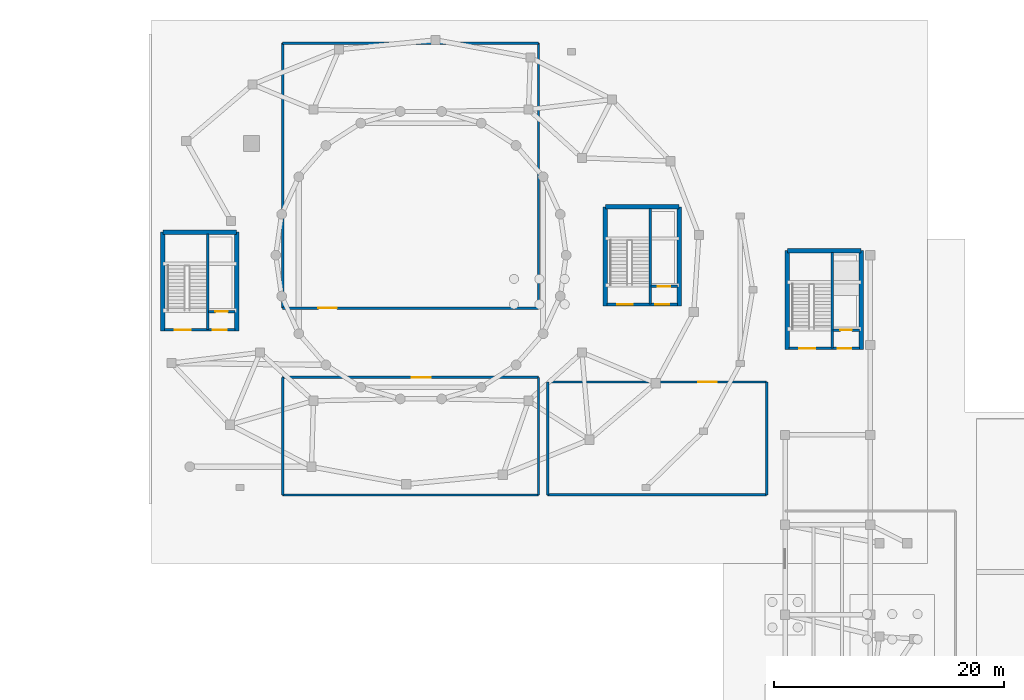
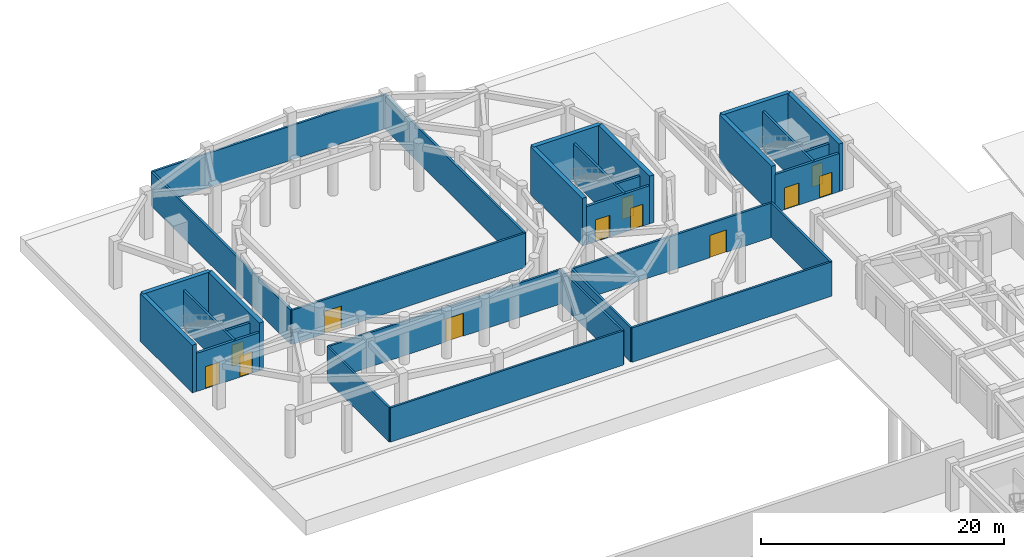
# One storey, part 8 of 11: 30 walls, 12 doors, 12 openings.
"""IFC4 building model written with IfcOpenShell, lengths in metres."""

from ifc_helpers import new_model, si_unit, direction, frame, frame_2d, origin, place, context, subcontext, project, spatial, rectangle, extrude, material, layer, layer_set, type_object, element, fill, save


model = new_model("IFC4")

# Units and contexts
model_context = context("Model", 3, precision=1e-05, world=origin(), true_north=direction((0.0, 1.0)))
body_context = subcontext(model_context, "Body", "Model", "MODEL_VIEW")
ifc_project = project(units=[si_unit("LENGTHUNIT", "METRE"), si_unit("AREAUNIT", "SQUARE_METRE"), si_unit("VOLUMEUNIT", "CUBIC_METRE"), si_unit("PLANEANGLEUNIT", "RADIAN"), si_unit("MASSUNIT", "GRAM", prefix="KILO")], contexts=[model_context])

# Site, building, storey
site_placement = place(None, origin())
site = spatial("IfcSite", under=ifc_project, at=site_placement, CompositionType="ELEMENT")
building_placement = place(site_placement, origin())
building = spatial("IfcBuilding", under=site, at=building_placement, Name="Pelvatis Terrace Science Centre", CompositionType="ELEMENT")
storey_placement = place(building_placement, frame((0.0, 0.0, -4.800048828125)))
storey = spatial("IfcBuildingStorey", under=building, at=storey_placement, Name="B01", CompositionType="ELEMENT", Elevation=-4.800048828125)

# Walls
ifc_material_1 = material(Name="Masonry laboratory fire wall", Category="masonry")
ifc_layer_1 = layer(ifc_material_1, 0.18994140625)
ifc_layer_set_1 = layer_set([ifc_layer_1], Name="Masonry laboratory fire wall")
wall_type_1 = type_object("IfcWallType", Name="WL-INT-COMP-190", PredefinedType="PARTITIONING", material=ifc_layer_set_1)
wall_1_placement = place(storey_placement, frame((97.199951171875, 65.0, 0.0), z_axis=(0.0, 0.0, 1.0), x_axis=(1.0, 0.0, 0.0)))
element("IfcWall", 1, at=wall_1_placement, inside=storey, type_object=wall_type_1, Name="Osteology and Paleontology Cold Conservation Store partition wall S", PredefinedType="PARTITIONING", context=body_context, shape_type="SweptSolid", body=[
    extrude(rectangle(XDim=22.199951171875, YDim=0.18994140625, at=frame_2d((11.10009765625, 0.0))), origin(), (0.0, 0.0, 1.0), 3.449951171875),
])
wall_2_placement = place(storey_placement, frame((119.39990234375, 65.0, 0.0), z_axis=(0.0, 0.0, 1.0), x_axis=(0.0, 1.0, 0.0)))
element("IfcWall", 2, at=wall_2_placement, inside=storey, type_object=wall_type_1, Name="Osteology and Paleontology Cold Conservation Store partition wall E", PredefinedType="PARTITIONING", context=body_context, shape_type="SweptSolid", body=[
    extrude(rectangle(XDim=10.199951171875, YDim=0.18994140625, at=frame_2d((5.10009765625, 0.0))), origin(), (0.0, 0.0, 1.0), 3.449951171875),
])

# Wall, opening, door
wall_3_placement = place(storey_placement, frame((119.39990234375, 75.199951171875, 0.0), z_axis=(0.0, 0.0, 1.0), x_axis=(-1.0, 0.0, 0.0)))
wall_3 = element("IfcWall", 3, at=wall_3_placement, inside=storey, type_object=wall_type_1, Name="Osteology and Paleontology Cold Conservation Store partition wall N", PredefinedType="PARTITIONING", context=body_context, shape_type="SweptSolid", body=[
    extrude(rectangle(XDim=22.199951171875, YDim=0.18994140625, at=frame_2d((11.10009765625, 0.0))), origin(), (0.0, 0.0, 1.0), 3.449951171875),
])
opening_1_placement = place(wall_3_placement, frame((9.367919921875, 0.0, 0.0)))
opening_1 = element("IfcOpeningElement", 4, at=opening_1_placement, cuts=wall_3, Name="Opening D-168", PredefinedType="OPENING", context=body_context, shape_type="SweptSolid", body=[
    extrude(rectangle(XDim=1.64990234375, YDim=2.300048828125, at=frame_2d((0.824951171875, 1.14990234375))), frame((0.0, 0.10498046875, 0.0), z_axis=(0.0, -1.0, 0.0), x_axis=(1.0, 0.0, 0.0)), (0.0, 0.0, 1.0), 0.2099609375),
])
ifc_material_2 = material(Name="Insulated steel specimen archive fire door", Category="steel")
door_type_1 = type_object("IfcDoorType", Name="DR-ARCH-1650x2300", OperationType="NOTDEFINED", PredefinedType="DOOR", material=ifc_material_2)
door_1_placement = place(opening_1_placement, origin())
door_1 = element("IfcDoor", 5, at=door_1_placement, inside=storey, type_object=door_type_1, Name="Osteology and Paleontology Cold Conservation Store entrance door", OperationType="DOUBLE_DOOR_SINGLE_SWING", OverallHeight=2.300048828125, OverallWidth=1.64990234375, PredefinedType="DOOR", context=body_context, shape_type="SweptSolid", body=[
    extrude(rectangle(XDim=1.64990234375, YDim=2.300048828125, at=frame_2d((0.824951171875, 1.14990234375))), frame((0.0, 0.02490234375, 0.0), z_axis=(0.0, -1.0, 0.0), x_axis=(1.0, 0.0, 0.0)), (0.0, 0.0, 1.0), 0.050048828125),
])
fill(opening_1, door_1)

# Wall
wall_4_placement = place(storey_placement, frame((97.199951171875, 75.199951171875, 0.0), z_axis=(0.0, 0.0, 1.0), x_axis=(0.0, -1.0, 0.0)))
element("IfcWall", 6, at=wall_4_placement, inside=storey, type_object=wall_type_1, Name="Osteology and Paleontology Cold Conservation Store partition wall W", PredefinedType="PARTITIONING", context=body_context, shape_type="SweptSolid", body=[
    extrude(rectangle(XDim=10.199951171875, YDim=0.18994140625, at=frame_2d((5.10009765625, 0.0))), origin(), (0.0, 0.0, 1.0), 3.449951171875),
])

# Wall, opening, door
ifc_material_3 = material(Name="Masonry fire-compartment wall", Category="masonry")
ifc_layer_2 = layer(ifc_material_3, 0.199951171875)
ifc_layer_set_2 = layer_set([ifc_layer_2], Name="Masonry fire-compartment wall")
wall_type_2 = type_object("IfcWallType", Name="WL-INT-COMP-200", PredefinedType="PARTITIONING", material=ifc_layer_set_2)
wall_5_placement = place(storey_placement, frame((97.199951171875, 81.199951171875, 0.0), z_axis=(0.0, 0.0, 1.0), x_axis=(1.0, 0.0, 0.0)))
wall_5 = element("IfcWall", 7, at=wall_5_placement, inside=storey, type_object=wall_type_2, Name="Central Chiller, Heat-Pump and Cistern Mechanical Plant partition wall S", PredefinedType="PARTITIONING", context=body_context, shape_type="SweptSolid", body=[
    extrude(rectangle(XDim=22.199951171875, YDim=0.199951171875, at=frame_2d((11.10009765625, 0.0))), origin(), (0.0, 0.0, 1.0), 3.449951171875),
])
opening_2_placement = place(wall_5_placement, frame((3.10009765625, 0.0, 0.0)))
opening_2 = element("IfcOpeningElement", 8, at=opening_2_placement, cuts=wall_5, Name="Opening D-169", PredefinedType="OPENING", context=body_context, shape_type="SweptSolid", body=[
    extrude(rectangle(XDim=1.60009765625, YDim=2.25, at=frame_2d((0.800048828125, 1.125))), frame((0.0, 0.10986328125, 0.0), z_axis=(0.0, -1.0, 0.0), x_axis=(1.0, 0.0, 0.0)), (0.0, 0.0, 1.0), 0.219970703125),
])
ifc_material_4 = material(Name="Louvred steel plant room fire door", Category="steel")
door_type_2 = type_object("IfcDoorType", Name="DR-PLNT-1600x2250", OperationType="NOTDEFINED", PredefinedType="DOOR", material=ifc_material_4)
door_2_placement = place(opening_2_placement, origin())
door_2 = element("IfcDoor", 9, at=door_2_placement, inside=storey, type_object=door_type_2, Name="Central Chiller, Heat-Pump and Cistern Mechanical Plant entrance door", OperationType="DOUBLE_DOOR_SINGLE_SWING", OverallHeight=2.25, OverallWidth=1.60009765625, PredefinedType="DOOR", context=body_context, shape_type="SweptSolid", body=[
    extrude(rectangle(XDim=1.60009765625, YDim=2.25, at=frame_2d((0.800048828125, 1.125))), frame((0.0, 0.02490234375, 0.0), z_axis=(0.0, -1.0, 0.0), x_axis=(1.0, 0.0, 0.0)), (0.0, 0.0, 1.0), 0.050048828125),
])
fill(opening_2, door_2)

# Walls
wall_6_placement = place(storey_placement, frame((119.39990234375, 81.199951171875, 0.0), z_axis=(0.0, 0.0, 1.0), x_axis=(0.0, 1.0, 0.0)))
element("IfcWall", 10, at=wall_6_placement, inside=storey, type_object=wall_type_2, Name="Central Chiller, Heat-Pump and Cistern Mechanical Plant partition wall E", PredefinedType="PARTITIONING", context=body_context, shape_type="SweptSolid", body=[
    extrude(rectangle(XDim=23.0, YDim=0.199951171875, at=frame_2d((11.5, 0.0))), origin(), (0.0, 0.0, 1.0), 3.449951171875),
])
wall_7_placement = place(storey_placement, frame((119.39990234375, 104.199951171875, 0.0), z_axis=(0.0, 0.0, 1.0), x_axis=(-1.0, 0.0, 0.0)))
element("IfcWall", 11, at=wall_7_placement, inside=storey, type_object=wall_type_2, Name="Central Chiller, Heat-Pump and Cistern Mechanical Plant partition wall N", PredefinedType="PARTITIONING", context=body_context, shape_type="SweptSolid", body=[
    extrude(rectangle(XDim=22.199951171875, YDim=0.199951171875, at=frame_2d((11.10009765625, 0.0))), origin(), (0.0, 0.0, 1.0), 3.449951171875),
])
wall_8_placement = place(storey_placement, frame((97.199951171875, 104.199951171875, 0.0), z_axis=(0.0, 0.0, 1.0), x_axis=(0.0, -1.0, 0.0)))
element("IfcWall", 12, at=wall_8_placement, inside=storey, type_object=wall_type_2, Name="Central Chiller, Heat-Pump and Cistern Mechanical Plant partition wall W", PredefinedType="PARTITIONING", context=body_context, shape_type="SweptSolid", body=[
    extrude(rectangle(XDim=23.0, YDim=0.199951171875, at=frame_2d((11.5, 0.0))), origin(), (0.0, 0.0, 1.0), 3.449951171875),
])
wall_9_placement = place(storey_placement, frame((120.199951171875, 65.0, 0.0), z_axis=(0.0, 0.0, 1.0), x_axis=(1.0, 0.0, 0.0)))
element("IfcWall", 13, at=wall_9_placement, inside=storey, type_object=wall_type_2, Name="Medium-Voltage Substation and Emergency Power Plant partition wall S", PredefinedType="PARTITIONING", context=body_context, shape_type="SweptSolid", body=[
    extrude(rectangle(XDim=19.0, YDim=0.199951171875, at=frame_2d((9.5, 0.0))), origin(), (0.0, 0.0, 1.0), 3.449951171875),
])
wall_10_placement = place(storey_placement, frame((139.199951171875, 65.0, 0.0), z_axis=(0.0, 0.0, 1.0), x_axis=(0.0, 1.0, 0.0)))
element("IfcWall", 14, at=wall_10_placement, inside=storey, type_object=wall_type_2, Name="Medium-Voltage Substation and Emergency Power Plant partition wall E", PredefinedType="PARTITIONING", context=body_context, shape_type="SweptSolid", body=[
    extrude(rectangle(XDim=9.800048828125, YDim=0.199951171875, at=frame_2d((4.89990234375, 0.0))), origin(), (0.0, 0.0, 1.0), 3.449951171875),
])

# Wall, opening, door
wall_11_placement = place(storey_placement, frame((139.199951171875, 74.800048828125, 0.0), z_axis=(0.0, 0.0, 1.0), x_axis=(-1.0, 0.0, 0.0)))
wall_11 = element("IfcWall", 15, at=wall_11_placement, inside=storey, type_object=wall_type_2, Name="Medium-Voltage Substation and Emergency Power Plant partition wall N", PredefinedType="PARTITIONING", context=body_context, shape_type="SweptSolid", body=[
    extrude(rectangle(XDim=19.0, YDim=0.199951171875, at=frame_2d((9.5, 0.0))), origin(), (0.0, 0.0, 1.0), 3.449951171875),
])
opening_3_placement = place(wall_11_placement, frame((4.346923828125, 0.0, 0.0)))
opening_3 = element("IfcOpeningElement", 16, at=opening_3_placement, cuts=wall_11, Name="Opening D-170", PredefinedType="OPENING", context=body_context, shape_type="SweptSolid", body=[
    extrude(rectangle(XDim=1.60009765625, YDim=2.25, at=frame_2d((0.800048828125, 1.125))), frame((0.0, 0.10986328125, 0.0), z_axis=(0.0, -1.0, 0.0), x_axis=(1.0, 0.0, 0.0)), (0.0, 0.0, 1.0), 0.219970703125),
])
door_3_placement = place(opening_3_placement, origin())
door_3 = element("IfcDoor", 17, at=door_3_placement, inside=storey, type_object=door_type_2, Name="Medium-Voltage Substation and Emergency Power Plant entrance door", OperationType="DOUBLE_DOOR_SINGLE_SWING", OverallHeight=2.25, OverallWidth=1.60009765625, PredefinedType="DOOR", context=body_context, shape_type="SweptSolid", body=[
    extrude(rectangle(XDim=1.60009765625, YDim=2.25, at=frame_2d((0.800048828125, 1.125))), frame((0.0, 0.02490234375, 0.0), z_axis=(0.0, -1.0, 0.0), x_axis=(1.0, 0.0, 0.0)), (0.0, 0.0, 1.0), 0.050048828125),
])
fill(opening_3, door_3)

# Walls
wall_12_placement = place(storey_placement, frame((120.199951171875, 74.800048828125, 0.0), z_axis=(0.0, 0.0, 1.0), x_axis=(0.0, -1.0, 0.0)))
element("IfcWall", 18, at=wall_12_placement, inside=storey, type_object=wall_type_2, Name="Medium-Voltage Substation and Emergency Power Plant partition wall W", PredefinedType="PARTITIONING", context=body_context, shape_type="SweptSolid", body=[
    extrude(rectangle(XDim=9.800048828125, YDim=0.199951171875, at=frame_2d((4.89990234375, 0.0))), origin(), (0.0, 0.0, 1.0), 3.449951171875),
])
ifc_material_5 = material(Name="Concrete C35/45 shaft dividing wall", Category="concrete")
ifc_layer_3 = layer(ifc_material_5, 0.2099609375)
ifc_layer_set_3 = layer_set([ifc_layer_3], Name="Concrete C35/45 shaft dividing wall")
wall_type_3 = type_object("IfcWallType", Name="WL-INT-CORE-210", PredefinedType="PARTITIONING", material=ifc_layer_set_3)
wall_13_placement = place(storey_placement, frame((90.699951171875, 79.35009765625, 0.0), z_axis=(0.0, 0.0, 1.0), x_axis=(0.0, 1.0, 0.0)))
element("IfcWall", 19, at=wall_13_placement, inside=storey, type_object=wall_type_3, Name="Core C1 stair-lift shaft fire wall (B01)", PredefinedType="PARTITIONING", context=body_context, shape_type="SweptSolid", body=[
    extrude(rectangle(XDim=8.2998046875, YDim=0.2099609375, at=frame_2d((4.14990234375, 0.0))), origin(), (0.0, 0.0, 1.0), 3.840087890625),
])
for number, where, z_axis, x_axis, name in (
    (20, (129.10009765625, 81.550048828125, 0.0), (0.0, 0.0, 1.0), (0.0, 1.0, 0.0), "Core C2 stair-lift shaft fire wall (B01)"),
    (21, (144.89990234375, 77.75, 0.0), (0.0, 0.0, 1.0), (0.0, 1.0, 0.0), "Core C3 stair-lift shaft fire wall (B01)"),
):
    element("IfcWall", number, at=place(storey_placement, frame(where, z_axis=z_axis, x_axis=x_axis)), inside=storey, type_object=wall_type_3, Name=name, PredefinedType="PARTITIONING", context=body_context, shape_type="SweptSolid", body=[
        extrude(rectangle(XDim=8.300048828125, YDim=0.2099609375, at=frame_2d((4.14990234375, 0.0))), origin(), (0.0, 0.0, 1.0), 3.840087890625),
    ])

# Wall, opening, door
ifc_material_6 = material(Name="Concrete C35/45 stair enclosure wall", Category="concrete")
ifc_layer_4 = layer(ifc_material_6, 0.22509765625)
ifc_layer_set_4 = layer_set([ifc_layer_4], Name="Concrete C35/45 stair enclosure wall")
wall_type_4 = type_object("IfcWallType", Name="WL-INT-CORE-225", PredefinedType="PARTITIONING", material=ifc_layer_set_4)
wall_14_placement = place(storey_placement, frame((90.75, 80.89990234375, 0.0), z_axis=(0.0, 0.0, 1.0), x_axis=(1.0, 0.0, 0.0)))
wall_14 = element("IfcWall", 22, at=wall_14_placement, inside=storey, type_object=wall_type_4, Name="Core C1 lift shaft landing wall (B01)", PredefinedType="PARTITIONING", context=body_context, shape_type="SweptSolid", body=[
    extrude(rectangle(XDim=2.300048828125, YDim=0.22509765625, at=frame_2d((1.14990234375, 0.0))), origin(), (0.0, 0.0, 1.0), 3.840087890625),
])
opening_4_placement = place(wall_14_placement, frame((0.60009765625, 0.0, 0.0)))
opening_4 = element("IfcOpeningElement", 23, at=opening_4_placement, cuts=wall_14, Name="Opening LD-C1-1", PredefinedType="OPENING", context=body_context, shape_type="SweptSolid", body=[
    extrude(rectangle(XDim=1.10009765625, YDim=2.14990234375, at=frame_2d((0.550048828125, 1.074951171875))), frame((0.0, 0.12255859375, 0.0), z_axis=(0.0, -1.0, 0.0), x_axis=(1.0, 0.0, 0.0)), (0.0, 0.0, 1.0), 0.2451171875),
])
ifc_material_7 = material(Name="Stainless steel sliding fire-fighting lift landing door", Category="steel")
door_type_3 = type_object("IfcDoorType", Name="DR-LIFT-1100x2150", OperationType="NOTDEFINED", PredefinedType="DOOR", material=ifc_material_7)
door_4_placement = place(opening_4_placement, origin())
door_4 = element("IfcDoor", 24, at=door_4_placement, inside=storey, type_object=door_type_3, Name="Lift LF-01 sliding landing door (B01)", OperationType="SLIDING_TO_LEFT", OverallHeight=2.14990234375, OverallWidth=1.10009765625, PredefinedType="DOOR", context=body_context, shape_type="SweptSolid", body=[
    extrude(rectangle(XDim=1.10009765625, YDim=2.14990234375, at=frame_2d((0.550048828125, 1.074951171875))), frame((0.0, 0.02490234375, 0.0), z_axis=(0.0, -1.0, 0.0), x_axis=(1.0, 0.0, 0.0)), (0.0, 0.0, 1.0), 0.050048828125),
])
fill(opening_4, door_4)

wall_15_placement = place(storey_placement, frame((129.14990234375, 83.10009765625, 0.0), z_axis=(0.0, 0.0, 1.0), x_axis=(1.0, 0.0, 0.0)))
wall_15 = element("IfcWall", 25, at=wall_15_placement, inside=storey, type_object=wall_type_4, Name="Core C2 lift shaft landing wall (B01)", PredefinedType="PARTITIONING", context=body_context, shape_type="SweptSolid", body=[
    extrude(rectangle(XDim=2.300048828125, YDim=0.22509765625, at=frame_2d((1.14990234375, 0.0))), origin(), (0.0, 0.0, 1.0), 3.840087890625),
])
opening_5_placement = place(wall_15_placement, frame((0.60009765625, 0.0, 0.0)))
opening_5 = element("IfcOpeningElement", 26, at=opening_5_placement, cuts=wall_15, Name="Opening LD-C2-1", PredefinedType="OPENING", context=body_context, shape_type="SweptSolid", body=[
    extrude(rectangle(XDim=1.10009765625, YDim=2.14990234375, at=frame_2d((0.550048828125, 1.074951171875))), frame((0.0, 0.12255859375, 0.0), z_axis=(0.0, -1.0, 0.0), x_axis=(1.0, 0.0, 0.0)), (0.0, 0.0, 1.0), 0.2451171875),
])
door_5_placement = place(opening_5_placement, origin())
door_5 = element("IfcDoor", 27, at=door_5_placement, inside=storey, type_object=door_type_3, Name="Lift LF-02 sliding landing door (B01)", OperationType="SLIDING_TO_LEFT", OverallHeight=2.14990234375, OverallWidth=1.10009765625, PredefinedType="DOOR", context=body_context, shape_type="SweptSolid", body=[
    extrude(rectangle(XDim=1.10009765625, YDim=2.14990234375, at=frame_2d((0.550048828125, 1.074951171875))), frame((0.0, 0.02490234375, 0.0), z_axis=(0.0, -1.0, 0.0), x_axis=(1.0, 0.0, 0.0)), (0.0, 0.0, 1.0), 0.050048828125),
])
fill(opening_5, door_5)

wall_16_placement = place(storey_placement, frame((144.949951171875, 79.300048828125, 0.0), z_axis=(0.0, 0.0, 1.0), x_axis=(1.0, 0.0, 0.0)))
wall_16 = element("IfcWall", 28, at=wall_16_placement, inside=storey, type_object=wall_type_4, Name="Core C3 lift shaft landing wall (B01)", PredefinedType="PARTITIONING", context=body_context, shape_type="SweptSolid", body=[
    extrude(rectangle(XDim=2.300048828125, YDim=0.22509765625, at=frame_2d((1.14990234375, 0.0))), origin(), (0.0, 0.0, 1.0), 3.840087890625),
])
opening_6_placement = place(wall_16_placement, frame((0.64990234375, 0.0, 0.0)))
opening_6 = element("IfcOpeningElement", 29, at=opening_6_placement, cuts=wall_16, Name="Opening LD-C3-1", PredefinedType="OPENING", context=body_context, shape_type="SweptSolid", body=[
    extrude(rectangle(XDim=1.0, YDim=2.14990234375, at=frame_2d((0.5, 1.074951171875))), frame((0.0, 0.12255859375, 0.0), z_axis=(0.0, -1.0, 0.0), x_axis=(1.0, 0.0, 0.0)), (0.0, 0.0, 1.0), 0.2451171875),
])
ifc_material_8 = material(Name="Bronze-clad sliding passenger lift landing door", Category="steel")
door_type_4 = type_object("IfcDoorType", Name="DR-LIFT-1000x2150", OperationType="NOTDEFINED", PredefinedType="DOOR", material=ifc_material_8)
door_6_placement = place(opening_6_placement, origin())
door_6 = element("IfcDoor", 30, at=door_6_placement, inside=storey, type_object=door_type_4, Name="Lift LF-05 sliding landing door (B01)", OperationType="SLIDING_TO_LEFT", OverallHeight=2.14990234375, OverallWidth=1.0, PredefinedType="DOOR", context=body_context, shape_type="SweptSolid", body=[
    extrude(rectangle(XDim=1.0, YDim=2.14990234375, at=frame_2d((0.5, 1.074951171875))), frame((0.0, 0.02490234375, 0.0), z_axis=(0.0, -1.0, 0.0), x_axis=(1.0, 0.0, 0.0)), (0.0, 0.0, 1.0), 0.050048828125),
])
fill(opening_6, door_6)

# Wall, openings, doors
ifc_material_9 = material(Name="Concrete C35/45 shaft enclosure wall", Category="concrete")
ifc_layer_5 = layer(ifc_material_9, 0.239990234375)
ifc_layer_set_5 = layer_set([ifc_layer_5], Name="Concrete C35/45 shaft enclosure wall")
wall_type_5 = type_object("IfcWallType", Name="WL-INT-CORE-240", PredefinedType="PARTITIONING", material=ifc_layer_set_5)
wall_17_placement = place(storey_placement, frame((86.949951171875, 79.320068359375, 0.0), z_axis=(0.0, 0.0, 1.0), x_axis=(1.0, 0.0, 0.0)))
wall_17 = element("IfcWall", 31, at=wall_17_placement, inside=storey, type_object=wall_type_5, Name="Core C1 fire-rated lobby wall (B01)", PredefinedType="PARTITIONING", context=body_context, shape_type="SweptSolid", body=[
    extrude(rectangle(XDim=6.10009765625, YDim=0.239990234375, at=frame_2d((3.050048828125, 0.0))), origin(), (0.0, 0.0, 1.0), 3.840087890625),
])
opening_7_placement = place(wall_17_placement, frame((0.89990234375, 0.0, 0.0)))
opening_7 = element("IfcOpeningElement", 32, at=opening_7_placement, cuts=wall_17, Name="Opening D-101", PredefinedType="OPENING", context=body_context, shape_type="SweptSolid", body=[
    extrude(rectangle(XDim=1.35009765625, YDim=2.199951171875, at=frame_2d((0.675048828125, 1.10009765625))), frame((0.0, 0.1298828125, 0.0), z_axis=(0.0, -1.0, 0.0), x_axis=(1.0, 0.0, 0.0)), (0.0, 0.0, 1.0), 0.260009765625),
])
opening_8_placement = place(wall_17_placement, frame((4.199951171875, 0.0, 0.0)))
opening_8 = element("IfcOpeningElement", 33, at=opening_8_placement, cuts=wall_17, Name="Opening D-102", PredefinedType="OPENING", context=body_context, shape_type="SweptSolid", body=[
    extrude(rectangle(XDim=1.199951171875, YDim=2.199951171875, at=frame_2d((0.60009765625, 1.10009765625))), frame((0.0, 0.1298828125, 0.0), z_axis=(0.0, -1.0, 0.0), x_axis=(1.0, 0.0, 0.0)), (0.0, 0.0, 1.0), 0.260009765625),
])
ifc_material_10 = material(Name="Steel fire-rated exit stair door", Category="steel")
door_type_5 = type_object("IfcDoorType", Name="DR-STAIR-1200x2200", OperationType="NOTDEFINED", PredefinedType="DOOR", material=ifc_material_10)
door_7_placement = place(opening_8_placement, origin())
door_7 = element("IfcDoor", 34, at=door_7_placement, inside=storey, type_object=door_type_5, Name="Core C1 lift lobby fire door (B01)", OperationType="SINGLE_SWING_RIGHT", OverallHeight=2.199951171875, OverallWidth=1.199951171875, PredefinedType="DOOR", context=body_context, shape_type="SweptSolid", body=[
    extrude(rectangle(XDim=1.199951171875, YDim=2.199951171875, at=frame_2d((0.60009765625, 1.10009765625))), frame((0.0, 0.02490234375, 0.0), z_axis=(0.0, -1.0, 0.0), x_axis=(1.0, 0.0, 0.0)), (0.0, 0.0, 1.0), 0.050048828125),
])
fill(opening_8, door_7)
ifc_material_11 = material(Name="Steel fire-rated protected stair door", Category="steel")
door_type_6 = type_object("IfcDoorType", Name="DR-STAIR-1350x2200", OperationType="NOTDEFINED", PredefinedType="DOOR", material=ifc_material_11)
door_8_placement = place(opening_7_placement, origin())
door_8 = element("IfcDoor", 35, at=door_8_placement, inside=storey, type_object=door_type_6, Name="Core C1 protected stair fire door (B01)", OperationType="SINGLE_SWING_LEFT", OverallHeight=2.199951171875, OverallWidth=1.35009765625, PredefinedType="DOOR", context=body_context, shape_type="SweptSolid", body=[
    extrude(rectangle(XDim=1.35009765625, YDim=2.199951171875, at=frame_2d((0.675048828125, 1.10009765625))), frame((0.0, 0.02490234375, 0.0), z_axis=(0.0, -1.0, 0.0), x_axis=(1.0, 0.0, 0.0)), (0.0, 0.0, 1.0), 0.050048828125),
])
fill(opening_7, door_8)

wall_18_placement = place(storey_placement, frame((125.35009765625, 81.52001953125, 0.0), z_axis=(0.0, 0.0, 1.0), x_axis=(1.0, 0.0, 0.0)))
wall_18 = element("IfcWall", 36, at=wall_18_placement, inside=storey, type_object=wall_type_5, Name="Core C2 fire-rated lobby wall (B01)", PredefinedType="PARTITIONING", context=body_context, shape_type="SweptSolid", body=[
    extrude(rectangle(XDim=6.099853515625, YDim=0.239990234375, at=frame_2d((3.0498046875, 0.0))), origin(), (0.0, 0.0, 1.0), 3.840087890625),
])
opening_9_placement = place(wall_18_placement, frame((0.89990234375, 0.0, 0.0)))
opening_9 = element("IfcOpeningElement", 37, at=opening_9_placement, cuts=wall_18, Name="Opening D-115", PredefinedType="OPENING", context=body_context, shape_type="SweptSolid", body=[
    extrude(rectangle(XDim=1.35009765625, YDim=2.199951171875, at=frame_2d((0.675048828125, 1.10009765625))), frame((0.0, 0.1298828125, 0.0), z_axis=(0.0, -1.0, 0.0), x_axis=(1.0, 0.0, 0.0)), (0.0, 0.0, 1.0), 0.260009765625),
])
opening_10_placement = place(wall_18_placement, frame((4.199951171875, 0.0, 0.0)))
opening_10 = element("IfcOpeningElement", 38, at=opening_10_placement, cuts=wall_18, Name="Opening D-116", PredefinedType="OPENING", context=body_context, shape_type="SweptSolid", body=[
    extrude(rectangle(XDim=1.199951171875, YDim=2.199951171875, at=frame_2d((0.60009765625, 1.10009765625))), frame((0.0, 0.1298828125, 0.0), z_axis=(0.0, -1.0, 0.0), x_axis=(1.0, 0.0, 0.0)), (0.0, 0.0, 1.0), 0.260009765625),
])
door_9_placement = place(opening_10_placement, origin())
door_9 = element("IfcDoor", 39, at=door_9_placement, inside=storey, type_object=door_type_5, Name="Core C2 lift lobby fire door (B01)", OperationType="SINGLE_SWING_RIGHT", OverallHeight=2.199951171875, OverallWidth=1.199951171875, PredefinedType="DOOR", context=body_context, shape_type="SweptSolid", body=[
    extrude(rectangle(XDim=1.199951171875, YDim=2.199951171875, at=frame_2d((0.60009765625, 1.10009765625))), frame((0.0, 0.02490234375, 0.0), z_axis=(0.0, -1.0, 0.0), x_axis=(1.0, 0.0, 0.0)), (0.0, 0.0, 1.0), 0.050048828125),
])
fill(opening_10, door_9)
door_10_placement = place(opening_9_placement, origin())
door_10 = element("IfcDoor", 40, at=door_10_placement, inside=storey, type_object=door_type_6, Name="Core C2 protected stair fire door (B01)", OperationType="SINGLE_SWING_LEFT", OverallHeight=2.199951171875, OverallWidth=1.35009765625, PredefinedType="DOOR", context=body_context, shape_type="SweptSolid", body=[
    extrude(rectangle(XDim=1.35009765625, YDim=2.199951171875, at=frame_2d((0.675048828125, 1.10009765625))), frame((0.0, 0.02490234375, 0.0), z_axis=(0.0, -1.0, 0.0), x_axis=(1.0, 0.0, 0.0)), (0.0, 0.0, 1.0), 0.050048828125),
])
fill(opening_9, door_10)

wall_19_placement = place(storey_placement, frame((141.14990234375, 77.719970703125, 0.0), z_axis=(0.0, 0.0, 1.0), x_axis=(1.0, 0.0, 0.0)))
wall_19 = element("IfcWall", 41, at=wall_19_placement, inside=storey, type_object=wall_type_5, Name="Core C3 fire-rated lobby wall (B01)", PredefinedType="PARTITIONING", context=body_context, shape_type="SweptSolid", body=[
    extrude(rectangle(XDim=6.10009765625, YDim=0.239990234375, at=frame_2d((3.050048828125, 0.0))), origin(), (0.0, 0.0, 1.0), 3.840087890625),
])
opening_11_placement = place(wall_19_placement, frame((0.89990234375, 0.0, 0.0)))
opening_11 = element("IfcOpeningElement", 42, at=opening_11_placement, cuts=wall_19, Name="Opening D-129", PredefinedType="OPENING", context=body_context, shape_type="SweptSolid", body=[
    extrude(rectangle(XDim=1.35009765625, YDim=2.199951171875, at=frame_2d((0.675048828125, 1.10009765625))), frame((0.0, 0.1298828125, 0.0), z_axis=(0.0, -1.0, 0.0), x_axis=(1.0, 0.0, 0.0)), (0.0, 0.0, 1.0), 0.260009765625),
])
opening_12_placement = place(wall_19_placement, frame((4.199951171875, 0.0, 0.0)))
opening_12 = element("IfcOpeningElement", 43, at=opening_12_placement, cuts=wall_19, Name="Opening D-130", PredefinedType="OPENING", context=body_context, shape_type="SweptSolid", body=[
    extrude(rectangle(XDim=1.199951171875, YDim=2.199951171875, at=frame_2d((0.60009765625, 1.10009765625))), frame((0.0, 0.1298828125, 0.0), z_axis=(0.0, -1.0, 0.0), x_axis=(1.0, 0.0, 0.0)), (0.0, 0.0, 1.0), 0.260009765625),
])
door_11_placement = place(opening_12_placement, origin())
door_11 = element("IfcDoor", 44, at=door_11_placement, inside=storey, type_object=door_type_5, Name="Core C3 lift lobby fire door (B01)", OperationType="SINGLE_SWING_RIGHT", OverallHeight=2.199951171875, OverallWidth=1.199951171875, PredefinedType="DOOR", context=body_context, shape_type="SweptSolid", body=[
    extrude(rectangle(XDim=1.199951171875, YDim=2.199951171875, at=frame_2d((0.60009765625, 1.10009765625))), frame((0.0, 0.02490234375, 0.0), z_axis=(0.0, -1.0, 0.0), x_axis=(1.0, 0.0, 0.0)), (0.0, 0.0, 1.0), 0.050048828125),
])
fill(opening_12, door_11)
door_12_placement = place(opening_11_placement, origin())
door_12 = element("IfcDoor", 45, at=door_12_placement, inside=storey, type_object=door_type_6, Name="Core C3 protected stair fire door (B01)", OperationType="SINGLE_SWING_LEFT", OverallHeight=2.199951171875, OverallWidth=1.35009765625, PredefinedType="DOOR", context=body_context, shape_type="SweptSolid", body=[
    extrude(rectangle(XDim=1.35009765625, YDim=2.199951171875, at=frame_2d((0.675048828125, 1.10009765625))), frame((0.0, 0.02490234375, 0.0), z_axis=(0.0, -1.0, 0.0), x_axis=(1.0, 0.0, 0.0)), (0.0, 0.0, 1.0), 0.050048828125),
])
fill(opening_11, door_12)

# Walls
ifc_material_12 = material(Name="Concrete C40/50", Category="concrete")
ifc_layer_6 = layer(ifc_material_12, 0.39990234375)
ifc_layer_set_6 = layer_set([ifc_layer_6], Name="Concrete C40/50")
wall_type_6 = type_object("IfcWallType", Name="WL-SHR-400", PredefinedType="SHEAR", material=ifc_layer_set_6)
wall_20_placement = place(storey_placement, frame((86.800048828125, 87.800048828125, 0.0), z_axis=(0.0, 0.0, 1.0), x_axis=(1.0, 0.0, 0.0)))
element("IfcWall", 46, at=wall_20_placement, inside=storey, type_object=wall_type_6, Name="Core C1 shear wall N (B01)", PredefinedType="SHEAR", context=body_context, shape_type="SweptSolid", body=[
    extrude(rectangle(XDim=6.39990234375, YDim=0.39990234375, at=frame_2d((3.199951171875, 0.0))), origin(), (0.0, 0.0, 1.0), 4.800048828125),
])
for number, where, z_axis, x_axis, name in (
    (47, (86.800048828125, 79.199951171875, 0.0), (0.0, 0.0, 1.0), (0.0, 1.0, 0.0), "Core C1 shear wall W (B01)"),
    (48, (93.199951171875, 79.199951171875, 0.0), (0.0, 0.0, 1.0), (0.0, 1.0, 0.0), "Core C1 shear wall E (B01)"),
):
    element("IfcWall", number, at=place(storey_placement, frame(where, z_axis=z_axis, x_axis=x_axis)), inside=storey, type_object=wall_type_6, Name=name, PredefinedType="SHEAR", context=body_context, shape_type="SweptSolid", body=[
        extrude(rectangle(XDim=8.60009765625, YDim=0.39990234375, at=frame_2d((4.300048828125, 0.0))), origin(), (0.0, 0.0, 1.0), 4.800048828125),
    ])
wall_21_placement = place(storey_placement, frame((125.199951171875, 90.0, 0.0), z_axis=(0.0, 0.0, 1.0), x_axis=(1.0, 0.0, 0.0)))
element("IfcWall", 49, at=wall_21_placement, inside=storey, type_object=wall_type_6, Name="Core C2 shear wall N (B01)", PredefinedType="SHEAR", context=body_context, shape_type="SweptSolid", body=[
    extrude(rectangle(XDim=6.400146484375, YDim=0.39990234375, at=frame_2d((3.2001953125, 0.0))), origin(), (0.0, 0.0, 1.0), 4.800048828125),
])
for number, where, z_axis, x_axis, name in (
    (50, (125.199951171875, 81.39990234375, 0.0), (0.0, 0.0, 1.0), (0.0, 1.0, 0.0), "Core C2 shear wall W (B01)"),
    (51, (131.60009765625, 81.39990234375, 0.0), (0.0, 0.0, 1.0), (0.0, 1.0, 0.0), "Core C2 shear wall E (B01)"),
):
    element("IfcWall", number, at=place(storey_placement, frame(where, z_axis=z_axis, x_axis=x_axis)), inside=storey, type_object=wall_type_6, Name=name, PredefinedType="SHEAR", context=body_context, shape_type="SweptSolid", body=[
        extrude(rectangle(XDim=8.60009765625, YDim=0.39990234375, at=frame_2d((4.300048828125, 0.0))), origin(), (0.0, 0.0, 1.0), 4.800048828125),
    ])
wall_22_placement = place(storey_placement, frame((141.0, 86.199951171875, 0.0), z_axis=(0.0, 0.0, 1.0), x_axis=(1.0, 0.0, 0.0)))
element("IfcWall", 52, at=wall_22_placement, inside=storey, type_object=wall_type_6, Name="Core C3 shear wall N (B01)", PredefinedType="SHEAR", context=body_context, shape_type="SweptSolid", body=[
    extrude(rectangle(XDim=6.39990234375, YDim=0.39990234375, at=frame_2d((3.199951171875, 0.0))), origin(), (0.0, 0.0, 1.0), 4.800048828125),
])
for number, where, z_axis, x_axis, name in (
    (53, (141.0, 77.60009765625, 0.0), (0.0, 0.0, 1.0), (0.0, 1.0, 0.0), "Core C3 shear wall W (B01)"),
    (54, (147.39990234375, 77.60009765625, 0.0), (0.0, 0.0, 1.0), (0.0, 1.0, 0.0), "Core C3 shear wall E (B01)"),
):
    element("IfcWall", number, at=place(storey_placement, frame(where, z_axis=z_axis, x_axis=x_axis)), inside=storey, type_object=wall_type_6, Name=name, PredefinedType="SHEAR", context=body_context, shape_type="SweptSolid", body=[
        extrude(rectangle(XDim=8.599853515625, YDim=0.39990234375, at=frame_2d((4.2998046875, 0.0))), origin(), (0.0, 0.0, 1.0), 4.800048828125),
    ])

save(model, "model.ifc")
